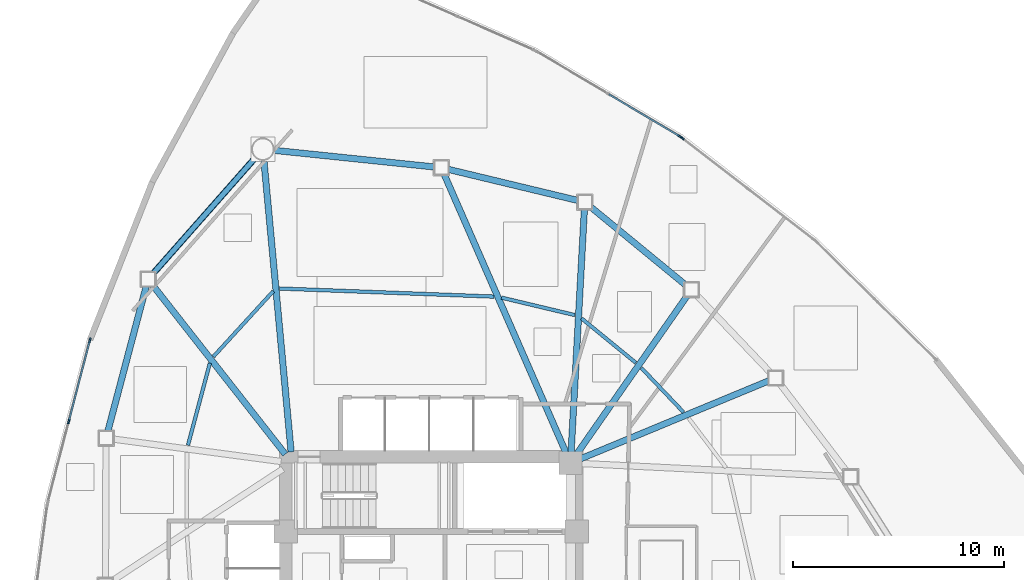
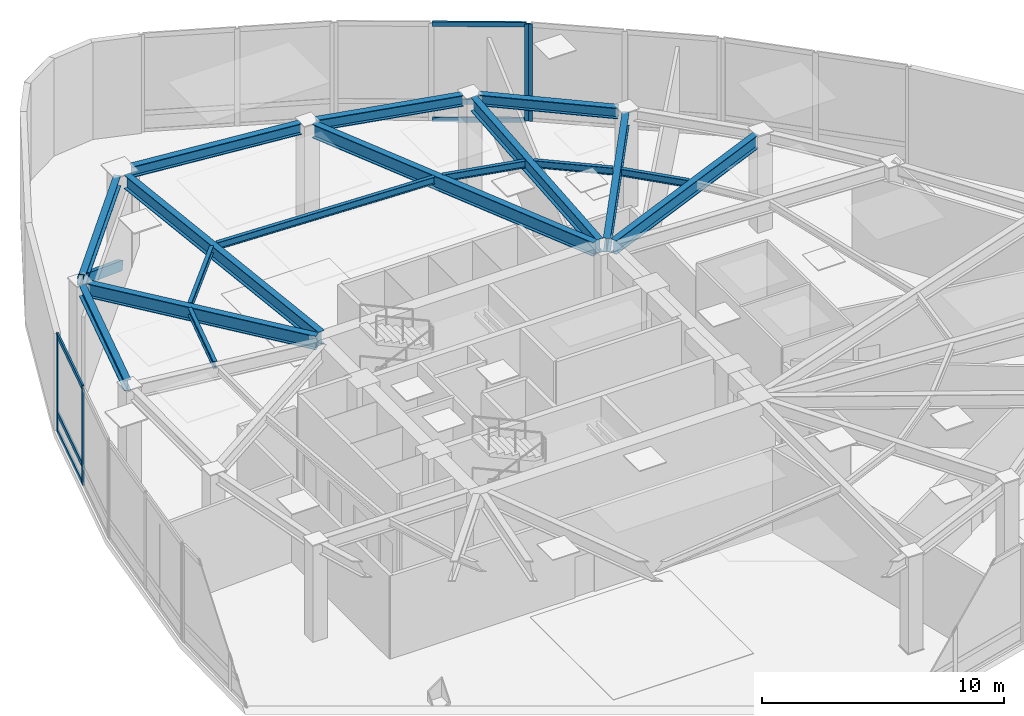
# One storey, part 6 of 14: 17 beams, 11 members, 3 elements without a shape of their own.
"""IFC4 building model written with IfcOpenShell, lengths in metres."""

from ifc_helpers import new_model, si_unit, direction, frame, origin, origin_2d, place, context, subcontext, project, spatial, hollow_rectangle, i_section, extrude, source, transform, mapped, material, layer, layer_set, material_profile, profile_set, type_object, type_shapes, element, aggregate, save


model = new_model("IFC4")

# Units and contexts
model_context = context("Model", 3, precision=1e-05, world=origin(), true_north=direction((0.0, 1.0)))
body_context = subcontext(model_context, "Body", "Model", "MODEL_VIEW")
ifc_project = project(units=[si_unit("LENGTHUNIT", "METRE"), si_unit("AREAUNIT", "SQUARE_METRE"), si_unit("VOLUMEUNIT", "CUBIC_METRE"), si_unit("PLANEANGLEUNIT", "RADIAN"), si_unit("MASSUNIT", "GRAM", prefix="KILO")], contexts=[model_context])

# Site, building, storey
site_placement = place(None, origin())
site = spatial("IfcSite", under=ifc_project, at=site_placement, CompositionType="ELEMENT")
building_placement = place(site_placement, origin())
building = spatial("IfcBuilding", under=site, at=building_placement, Name="Tavelor Broadcast Tower", CompositionType="ELEMENT")
storey_placement = place(building_placement, frame((0.0, 0.0, 110.39990234375)))
storey = spatial("IfcBuildingStorey", under=building, at=storey_placement, Name="L25", CompositionType="ELEMENT", Elevation=110.39990234375)

# Beams
ifc_material_1 = material(Name="Steel S355", Category="steel")
ifc_material_profile_1 = material_profile(ifc_material_1, i_section(OverallWidth=0.169921875, OverallDepth=0.360107421875, WebThickness=0.008056640625, FlangeThickness=0.0126953125, at=origin_2d()), Name="IPE 360")
ifc_profile_set_1 = profile_set([ifc_material_profile_1], Name="Steel S355")
beam_type_1 = type_object("IfcBeamType", Name="Composite Floor Joist T3 IPE 360", PredefinedType="JOIST", material=ifc_profile_set_1)
beam_1_placement = place(storey_placement, frame((42.505126953125, 59.344970703125, 4.72021484375), z_axis=(-0.675177020038, -0.737655740581, 0.0), x_axis=(0.737655740581, -0.675177020038, 0.0)))
element("IfcBeam", 1, at=beam_1_placement, inside=storey, type_object=beam_type_1, Name="L25 Secondary Composite Floor Joist 01", PredefinedType="JOIST", context=body_context, shape_type="SweptSolid", body=[
    extrude(i_section(OverallWidth=0.169921875, OverallDepth=0.360107421875, WebThickness=0.008056640625, FlangeThickness=0.0126953125, at=origin_2d()), origin(), (0.0, 0.0, 1.0), 4.20068359375),
])
beam_2_placement = place(storey_placement, frame((39.5, 55.937744140625, 4.72021484375), z_axis=(-0.257647578953, -0.966238958571, 0.0), x_axis=(0.966238958571, -0.257647578953, 0.0)))
element("IfcBeam", 2, at=beam_2_placement, inside=storey, type_object=beam_type_1, Name="L25 Secondary Composite Floor Joist 02", PredefinedType="JOIST", context=body_context, shape_type="SweptSolid", body=[
    extrude(i_section(OverallWidth=0.169921875, OverallDepth=0.360107421875, WebThickness=0.008056640625, FlangeThickness=0.0126953125, at=origin_2d()), origin(), (0.0, 0.0, 1.0), 4.032958984375),
])
beam_3_placement = place(storey_placement, frame((61.960205078125, 53.60400390625, 4.72021484375), z_axis=(-0.689436692526, 0.724345944283, 0.0), x_axis=(-0.724345944283, -0.689436692526, 0.0)))
element("IfcBeam", 3, at=beam_3_placement, inside=storey, type_object=beam_type_1, Name="L25 Secondary Composite Floor Joist 15", PredefinedType="JOIST", context=body_context, shape_type="SweptSolid", body=[
    extrude(i_section(OverallWidth=0.169921875, OverallDepth=0.360107421875, WebThickness=0.008056640625, FlangeThickness=0.0126953125, at=origin_2d()), origin(), (0.0, 0.0, 1.0), 2.90234375),
])
beam_4_placement = place(storey_placement, frame((59.6943359375, 55.951904296875, 4.72021484375), z_axis=(-0.774130723206, 0.633025768345, 0.0), x_axis=(-0.633025768345, -0.774130723206, 0.0)))
element("IfcBeam", 4, at=beam_4_placement, inside=storey, type_object=beam_type_1, Name="L25 Secondary Composite Floor Joist 16", PredefinedType="JOIST", context=body_context, shape_type="SweptSolid", body=[
    extrude(i_section(OverallWidth=0.169921875, OverallDepth=0.360107421875, WebThickness=0.008056640625, FlangeThickness=0.0126953125, at=origin_2d()), origin(), (0.0, 0.0, 1.0), 3.32373046875),
])
beam_5_placement = place(storey_placement, frame((56.80517578125, 58.21240234375, 4.72021484375), z_axis=(-0.972854549724, 0.231417426056, 0.0), x_axis=(-0.231417426056, -0.972854549724, 0.0)))
element("IfcBeam", 5, at=beam_5_placement, inside=storey, type_object=beam_type_1, Name="L25 Secondary Composite Floor Joist 17", PredefinedType="JOIST", context=body_context, shape_type="SweptSolid", body=[
    extrude(i_section(OverallWidth=0.169921875, OverallDepth=0.360107421875, WebThickness=0.008056640625, FlangeThickness=0.0126953125, at=origin_2d()), origin(), (0.0, 0.0, 1.0), 3.575439453125),
])
beam_6_placement = place(storey_placement, frame((52.969970703125, 59.08837890625, 4.72021484375), z_axis=(-0.999289376722, 0.037692725691, 0.0), x_axis=(-0.037692725691, -0.999289376722, 0.0)))
element("IfcBeam", 6, at=beam_6_placement, inside=storey, type_object=beam_type_1, Name="L25 Secondary Composite Floor Joist 18", PredefinedType="JOIST", context=body_context, shape_type="SweptSolid", body=[
    extrude(i_section(OverallWidth=0.169921875, OverallDepth=0.360107421875, WebThickness=0.008056640625, FlangeThickness=0.0126953125, at=origin_2d()), origin(), (0.0, 0.0, 1.0), 10.169189453125),
])
ifc_material_profile_2 = material_profile(ifc_material_1, i_section(OverallWidth=0.300048828125, OverallDepth=0.550048828125, WebThickness=0.014892578125, FlangeThickness=0.029052734375, at=origin_2d()), Name="HEB 550")
ifc_profile_set_2 = profile_set([ifc_material_profile_2], Name="Steel S355")
beam_type_2 = type_object("IfcBeamType", Name="Perimeter Spandrel Beam T3 HEB 550", PredefinedType="SPANDREL", material=ifc_profile_set_2)
beam_7_placement = place(storey_placement, frame((41.67236328125, 65.69580078125, 4.625), z_axis=(-0.661628202511, -0.749832062292, 0.0), x_axis=(0.749832062292, -0.661628202511, 0.0)))
element("IfcBeam", 7, at=beam_7_placement, inside=storey, type_object=beam_type_2, Name="L25 Framed-Tube Ring Spandrel 01", PredefinedType="SPANDREL", context=body_context, shape_type="SweptSolid", body=[
    extrude(i_section(OverallWidth=0.300048828125, OverallDepth=0.550048828125, WebThickness=0.014892578125, FlangeThickness=0.029052734375, at=origin_2d()), origin(), (0.0, 0.0, 1.0), 7.379150390625),
])
beam_8_placement = place(storey_placement, frame((36.481689453125, 59.5859375, 4.625), z_axis=(-0.255779440044, -0.966735164381, 0.0), x_axis=(0.966735164381, -0.255779440044, 0.0)))
element("IfcBeam", 8, at=beam_8_placement, inside=storey, type_object=beam_type_2, Name="L25 Framed-Tube Ring Spandrel 02", PredefinedType="SPANDREL", context=body_context, shape_type="SweptSolid", body=[
    extrude(i_section(OverallWidth=0.300048828125, OverallDepth=0.550048828125, WebThickness=0.014892578125, FlangeThickness=0.029052734375, at=origin_2d()), origin(), (0.0, 0.0, 1.0), 7.11865234375),
])
beam_9_placement = place(storey_placement, frame((62.0712890625, 59.62939453125, 4.625), z_axis=(-0.772702936962, 0.634767808896, 0.0), x_axis=(-0.634767808896, -0.772702936962, 0.0)))
element("IfcBeam", 9, at=beam_9_placement, inside=storey, type_object=beam_type_2, Name="L25 Framed-Tube Ring Spandrel 16", PredefinedType="SPANDREL", context=body_context, shape_type="SweptSolid", body=[
    extrude(i_section(OverallWidth=0.300048828125, OverallDepth=0.550048828125, WebThickness=0.014892578125, FlangeThickness=0.029052734375, at=origin_2d()), origin(), (0.0, 0.0, 1.0), 5.869140625),
])
beam_10_placement = place(storey_placement, frame((56.949951171875, 63.64697265625, 4.625), z_axis=(-0.972363823797, 0.233470756565, 0.0), x_axis=(-0.233470756565, -0.972363823797, 0.0)))
element("IfcBeam", 10, at=beam_10_placement, inside=storey, type_object=beam_type_2, Name="L25 Framed-Tube Ring Spandrel 17", PredefinedType="SPANDREL", context=body_context, shape_type="SweptSolid", body=[
    extrude(i_section(OverallWidth=0.300048828125, OverallDepth=0.550048828125, WebThickness=0.014892578125, FlangeThickness=0.029052734375, at=origin_2d()), origin(), (0.0, 0.0, 1.0), 6.325439453125),
])
beam_11_placement = place(storey_placement, frame((50.13818359375, 65.23681640625, 4.625), z_axis=(-0.994661371522, 0.103192809834, 0.0), x_axis=(-0.103192809834, -0.994661371522, 0.0)))
element("IfcBeam", 11, at=beam_11_placement, inside=storey, type_object=beam_type_2, Name="L25 Framed-Tube Ring Spandrel 18", PredefinedType="SPANDREL", context=body_context, shape_type="SweptSolid", body=[
    extrude(i_section(OverallWidth=0.300048828125, OverallDepth=0.550048828125, WebThickness=0.014892578125, FlangeThickness=0.029052734375, at=origin_2d()), origin(), (0.0, 0.0, 1.0), 7.658203125),
])

# Member
ifc_material_profile_3 = material_profile(ifc_material_1, hollow_rectangle(XDim=0.25, YDim=0.449951171875, WallThickness=0.02001953125, at=origin_2d()), Name="RHS 450x250x20")
ifc_profile_set_3 = profile_set([ifc_material_profile_3], Name="Steel S355")
member_type_1 = type_object("IfcMemberType", Name="Perimeter Tube Brace T3 RHS 450x250x20", PredefinedType="BRACE", material=ifc_profile_set_3)
member_1_placement = place(storey_placement, frame((42.01123046875, 66.080078125, 0.0), z_axis=(-0.568443386536, -0.644237537685, 0.511693376291), x_axis=(0.74983872131, -0.661620655681, 0.0)))
element("IfcMember", 12, at=member_1_placement, inside=storey, type_object=member_type_1, Name="L25 Corner Tube Diagonal Brace 1", PredefinedType="BRACE", context=body_context, shape_type="SweptSolid", body=[
    extrude(hollow_rectangle(XDim=0.25, YDim=0.449951171875, WallThickness=0.02001953125, at=origin_2d()), origin(), (0.0, 0.0, 1.0), 9.576416015625),
])

# Beams
ifc_material_profile_4 = material_profile(ifc_material_1, i_section(OverallWidth=0.300048828125, OverallDepth=0.68994140625, WebThickness=0.014404296875, FlangeThickness=0.027099609375, at=origin_2d()), Name="HEA 700")
ifc_profile_set_4 = profile_set([ifc_material_profile_4], Name="Steel S355")
beam_type_3 = type_object("IfcBeamType", Name="Radial Floor Girder T3 HEA 700", PredefinedType="BEAM", material=ifc_profile_set_4)
beam_12_placement = place(storey_placement, frame((43.350830078125, 51.7255859375, 4.55517578125), z_axis=(-0.092918079293, 0.995673757081, 0.0), x_axis=(-0.995673757081, -0.092918079293, 0.0)))
element("IfcBeam", 13, at=beam_12_placement, inside=storey, type_object=beam_type_3, Name="L25 Radial Primary Floor Girder 01", PredefinedType="BEAM", context=body_context, shape_type="SweptSolid", body=[
    extrude(i_section(OverallWidth=0.300048828125, OverallDepth=0.68994140625, WebThickness=0.014404296875, FlangeThickness=0.027099609375, at=origin_2d()), origin(), (0.0, 0.0, 1.0), 13.904541015625),
])
beam_13_placement = place(storey_placement, frame((43.07421875, 51.615478515625, 4.55517578125), z_axis=(-0.617166360417, 0.786832690964, 0.0), x_axis=(-0.786832690964, -0.617166360417, 0.0)))
element("IfcBeam", 14, at=beam_13_placement, inside=storey, type_object=beam_type_3, Name="L25 Radial Primary Floor Girder 02", PredefinedType="BEAM", context=body_context, shape_type="SweptSolid", body=[
    extrude(i_section(OverallWidth=0.300048828125, OverallDepth=0.68994140625, WebThickness=0.014404296875, FlangeThickness=0.027099609375, at=origin_2d()), origin(), (0.0, 0.0, 1.0), 10.20654296875),
])
beam_14_placement = place(storey_placement, frame((57.087890625, 51.402099609375, 4.55517578125), z_axis=(0.92381625254, 0.382836168018, 0.0), x_axis=(-0.382836168018, 0.92381625254, 0.0)))
element("IfcBeam", 15, at=beam_14_placement, inside=storey, type_object=beam_type_3, Name="L25 Radial Primary Floor Girder 15", PredefinedType="BEAM", context=body_context, shape_type="SweptSolid", body=[
    extrude(i_section(OverallWidth=0.300048828125, OverallDepth=0.68994140625, WebThickness=0.014404296875, FlangeThickness=0.027099609375, at=origin_2d()), origin(), (0.0, 0.0, 1.0), 9.659423828125),
])
beam_15_placement = place(storey_placement, frame((56.902099609375, 51.633056640625, 4.55517578125), z_axis=(0.572088555537, 0.820191858423, 0.0), x_axis=(-0.820191858423, 0.572088555537, 0.0)))
element("IfcBeam", 16, at=beam_15_placement, inside=storey, type_object=beam_type_3, Name="L25 Radial Primary Floor Girder 16", PredefinedType="BEAM", context=body_context, shape_type="SweptSolid", body=[
    extrude(i_section(OverallWidth=0.300048828125, OverallDepth=0.68994140625, WebThickness=0.014404296875, FlangeThickness=0.027099609375, at=origin_2d()), origin(), (0.0, 0.0, 1.0), 9.1533203125),
])
beam_16_placement = place(storey_placement, frame((56.62890625, 51.727294921875, 4.55517578125), z_axis=(0.054621583664, 0.998507126964, 0.0), x_axis=(-0.998507126964, 0.054621583664, 0.0)))
element("IfcBeam", 17, at=beam_16_placement, inside=storey, type_object=beam_type_3, Name="L25 Radial Primary Floor Girder 17", PredefinedType="BEAM", context=body_context, shape_type="SweptSolid", body=[
    extrude(i_section(OverallWidth=0.300048828125, OverallDepth=0.68994140625, WebThickness=0.014404296875, FlangeThickness=0.027099609375, at=origin_2d()), origin(), (0.0, 0.0, 1.0), 11.522705078125),
])
beam_17_placement = place(storey_placement, frame((56.38818359375, 51.68359375, 4.55517578125), z_axis=(-0.400896102053, 0.916123526255, 0.0), x_axis=(-0.916123526255, -0.400896102053, 0.0)))
element("IfcBeam", 18, at=beam_17_placement, inside=storey, type_object=beam_type_3, Name="L25 Radial Primary Floor Girder 18", PredefinedType="BEAM", context=body_context, shape_type="SweptSolid", body=[
    extrude(i_section(OverallWidth=0.300048828125, OverallDepth=0.68994140625, WebThickness=0.014404296875, FlangeThickness=0.027099609375, at=origin_2d()), origin(), (0.0, 0.0, 1.0), 14.420166015625),
])

# Curtain wall, members
ifc_material_2 = material(Name="Architectural Anodized Aluminium", Category="aluminium")
ifc_layer = layer(ifc_material_2, 0.239990234375)
ifc_layer_set = layer_set([ifc_layer], Name="Architectural Anodized Aluminium")
curtain_wall_type = type_object("IfcCurtainWallType", Name="Sky Lobby Feature Structural Curtain Wall CW05", PredefinedType="NOTDEFINED", material=ifc_layer_set)
curtain_wall_1_placement = place(storey_placement, origin())
curtain_wall_1 = element("IfcCurtainWall", 19, at=curtain_wall_1_placement, inside=storey, type_object=curtain_wall_type, Name="L25 Curtain Wall CW05 Run 241", PredefinedType="NOTDEFINED")
ifc_material_profile_5 = material_profile(ifc_material_2, hollow_rectangle(XDim=0.080078125, YDim=0.239990234375, WallThickness=0.02197265625, at=origin_2d()), Name="RHS 80x240x22")
ifc_profile_set_5 = profile_set([ifc_material_profile_5], Name="Architectural Anodized Aluminium")
member_type_2 = type_object("IfcMemberType", Name="CW05 Extruded Aluminium Mullion 80x240", PredefinedType="MULLION", material=ifc_profile_set_5)
shared_shape_1 = source(origin(), body_context, "Body", "SweptSolid", [
    extrude(hollow_rectangle(XDim=0.080078125, YDim=0.239990234375, WallThickness=0.02197265625, at=origin_2d()), origin(), (0.0, 0.0, 1.0), 4.900146484375),
])
type_shapes(member_type_2, [shared_shape_1])
member_2_placement = place(storey_placement, frame((33.808837890625, 57.01806640625, 0.0), z_axis=(0.0, 0.0, 1.0), x_axis=(0.967817103334, -0.251654633366, 0.0)))
member_2 = element("IfcMember", 20, at=member_2_placement, type_object=member_type_2, Name="CW05 mullion 1", PredefinedType="MULLION", context=body_context, shape_type="MappedRepresentation", body=[
    mapped(shared_shape_1, transform((0.0, 0.0, 0.0), scale=1.0)),
])
member_3_placement = place(storey_placement, frame((32.809326171875, 53.174560546875, 0.0), z_axis=(0.0, 0.0, 1.0), x_axis=(0.967817103334, -0.251654633366, 0.0)))
member_3 = element("IfcMember", 21, at=member_3_placement, type_object=member_type_2, Name="CW05 mullion 2", PredefinedType="MULLION", context=body_context, shape_type="MappedRepresentation", body=[
    mapped(shared_shape_1, transform((0.0, 0.0, 0.0), scale=1.0)),
])

# Curtain wall, member
curtain_wall_2_placement = place(storey_placement, origin())
curtain_wall_2 = element("IfcCurtainWall", 22, at=curtain_wall_2_placement, inside=storey, type_object=curtain_wall_type, Name="L25 Curtain Wall CW05 Run 250", PredefinedType="NOTDEFINED")
member_4_placement = place(storey_placement, frame((61.8837890625, 66.6171875, 0.0), z_axis=(0.0, 0.0, 1.0), x_axis=(-0.610483544326, -0.792028940195, 0.0)))
member_4 = element("IfcMember", 23, at=member_4_placement, type_object=member_type_2, Name="CW05 mullion 3", PredefinedType="MULLION", context=body_context, shape_type="MappedRepresentation", body=[
    mapped(shared_shape_1, transform((0.0, 0.0, 0.0), scale=1.0)),
])
aggregate(curtain_wall_2, [member_4])

curtain_wall_3_placement = place(storey_placement, origin())
curtain_wall_3 = element("IfcCurtainWall", 24, at=curtain_wall_3_placement, inside=storey, type_object=curtain_wall_type, Name="L25 Curtain Wall CW05 Run 251", PredefinedType="NOTDEFINED")
member_5_placement = place(storey_placement, frame((61.793212890625, 66.678955078125, 0.0), z_axis=(0.0, 0.0, 1.0), x_axis=(-0.510155257935, -0.860082329083, 0.0)))
member_5 = element("IfcMember", 25, at=member_5_placement, type_object=member_type_2, Name="CW05 mullion 1", PredefinedType="MULLION", context=body_context, shape_type="MappedRepresentation", body=[
    mapped(shared_shape_1, transform((0.0, 0.0, 0.0), scale=1.0)),
])

# Member
ifc_material_profile_6 = material_profile(ifc_material_2, hollow_rectangle(XDim=0.080078125, YDim=0.239990234375, WallThickness=0.02197265625, at=origin_2d()), Name="RHS 80x240x22")
ifc_profile_set_6 = profile_set([ifc_material_profile_6], Name="Architectural Anodized Aluminium")
member_type_3 = type_object("IfcMemberType", Name="CW05 Extruded Aluminium Transom 80x240", PredefinedType="USERDEFINED", material=ifc_profile_set_6)
shared_shape_2 = source(origin(), body_context, "Body", "SweptSolid", [
    extrude(hollow_rectangle(XDim=0.080078125, YDim=0.239990234375, WallThickness=0.02197265625, at=origin_2d()), origin(), (0.0, 0.0, 1.0), 3.891357421875),
])
member_6_placement = place(storey_placement, frame((33.798828125, 56.9794921875, 0.0400390625), z_axis=(-0.251647955775, -0.967818839636, 0.0), x_axis=(0.967818839636, -0.251647955775, 0.0)))
member_6 = element("IfcMember", 26, at=member_6_placement, type_object=member_type_3, Name="CW05 transom 1.1", ObjectType="TRANSOM", PredefinedType="USERDEFINED", context=body_context, shape_type="MappedRepresentation", body=[
    mapped(shared_shape_2, transform((0.0, 0.0, 0.0), scale=1.0)),
])

member_7_placement = place(storey_placement, frame((33.798828125, 56.9794921875, 0.9501953125), z_axis=(-0.251647955775, -0.967818839636, 0.0), x_axis=(0.967818839636, -0.251647955775, 0.0)))
member_7 = element("IfcMember", 27, at=member_7_placement, type_object=member_type_3, Name="CW05 transom 1.2", ObjectType="TRANSOM", PredefinedType="USERDEFINED", context=body_context, shape_type="MappedRepresentation", body=[
    mapped(shared_shape_2, transform((0.0, 0.0, 0.0), scale=1.0)),
])

member_8_placement = place(storey_placement, frame((33.798828125, 56.9794921875, 4.860107421875), z_axis=(-0.251647955775, -0.967818839636, 0.0), x_axis=(0.967818839636, -0.251647955775, 0.0)))
member_8 = element("IfcMember", 28, at=member_8_placement, type_object=member_type_3, Name="CW05 transom 1.3", ObjectType="TRANSOM", PredefinedType="USERDEFINED", context=body_context, shape_type="MappedRepresentation", body=[
    mapped(shared_shape_2, transform((0.0, 0.0, 0.0), scale=1.0)),
])

aggregate(curtain_wall_1, [member_2, member_3, member_6, member_7, member_8])

shared_shape_3 = source(origin(), body_context, "Body", "SweptSolid", [
    extrude(hollow_rectangle(XDim=0.080078125, YDim=0.239990234375, WallThickness=0.02197265625, at=origin_2d()), origin(), (0.0, 0.0, 1.0), 3.884033203125),
])
type_shapes(member_type_3, [shared_shape_2, shared_shape_3])
member_9_placement = place(storey_placement, frame((61.7587890625, 66.69921875, 0.0400390625), z_axis=(-0.860083169612, 0.510153840866, 0.0), x_axis=(-0.510153840866, -0.860083169612, 0.0)))
member_9 = element("IfcMember", 29, at=member_9_placement, type_object=member_type_3, Name="CW05 transom 1.1", ObjectType="TRANSOM", PredefinedType="USERDEFINED", context=body_context, shape_type="MappedRepresentation", body=[
    mapped(shared_shape_3, transform((0.0, 0.0, 0.0), scale=1.0)),
])

member_10_placement = place(storey_placement, frame((61.7587890625, 66.69921875, 0.9501953125), z_axis=(-0.860083169612, 0.510153840866, 0.0), x_axis=(-0.510153840866, -0.860083169612, 0.0)))
member_10 = element("IfcMember", 30, at=member_10_placement, type_object=member_type_3, Name="CW05 transom 1.2", ObjectType="TRANSOM", PredefinedType="USERDEFINED", context=body_context, shape_type="MappedRepresentation", body=[
    mapped(shared_shape_3, transform((0.0, 0.0, 0.0), scale=1.0)),
])

member_11_placement = place(storey_placement, frame((61.7587890625, 66.69921875, 4.860107421875), z_axis=(-0.860083169612, 0.510153840866, 0.0), x_axis=(-0.510153840866, -0.860083169612, 0.0)))
member_11 = element("IfcMember", 31, at=member_11_placement, type_object=member_type_3, Name="CW05 transom 1.3", ObjectType="TRANSOM", PredefinedType="USERDEFINED", context=body_context, shape_type="MappedRepresentation", body=[
    mapped(shared_shape_3, transform((0.0, 0.0, 0.0), scale=1.0)),
])

aggregate(curtain_wall_3, [member_5, member_9, member_10, member_11])

save(model, "model.ifc")
